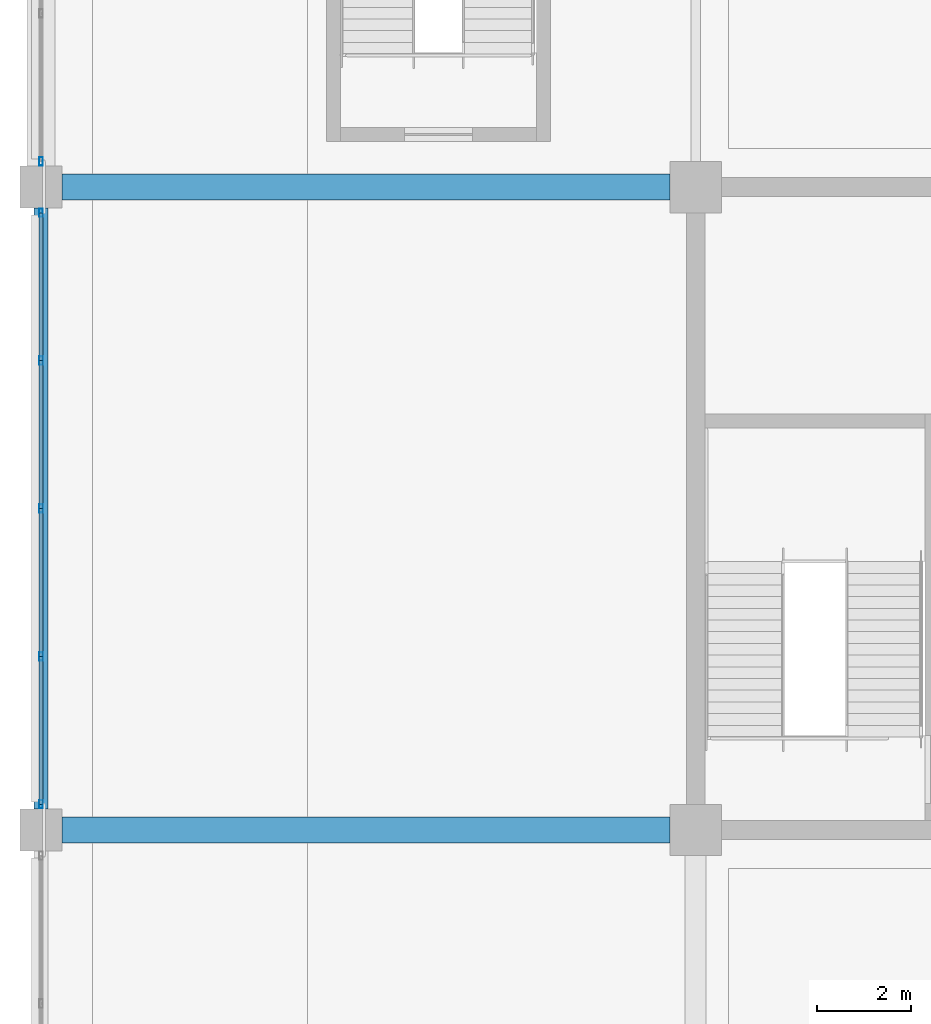
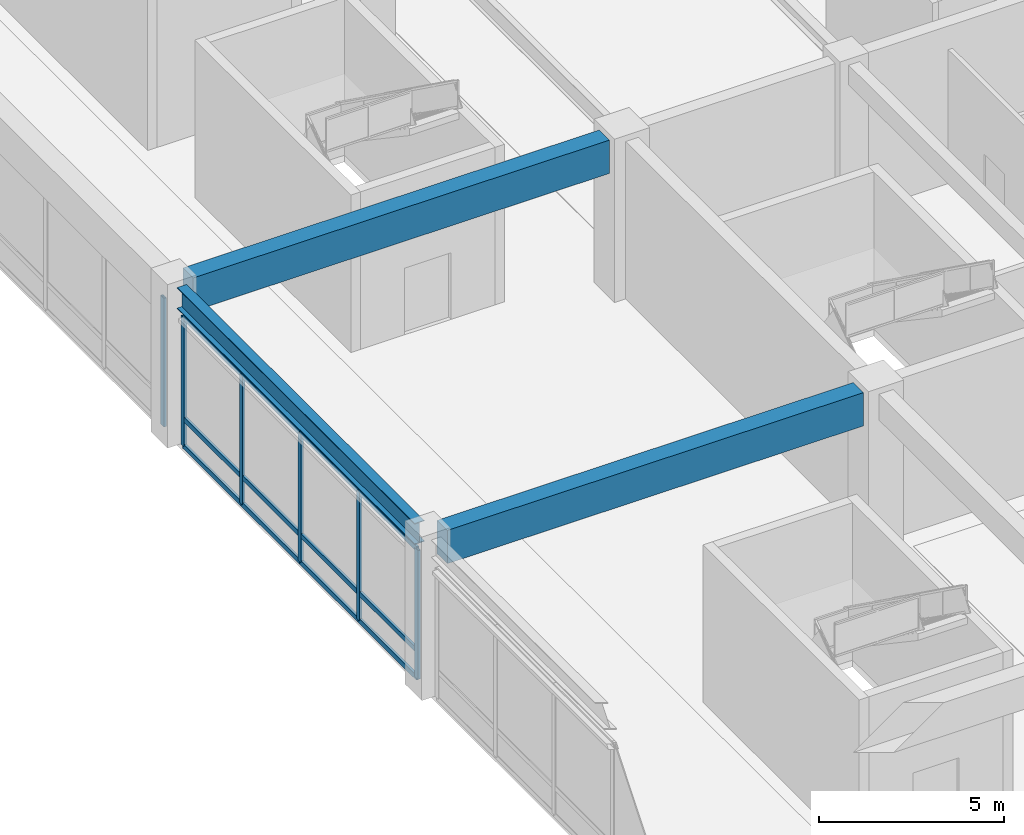
# One storey, part 43 of 117: 18 members, 3 beams, 2 elements without a shape of their own.
"""IFC4 building model written with IfcOpenShell, lengths in metres."""

from ifc_helpers import new_model, si_unit, direction, frame, origin, origin_2d, place, context, subcontext, project, spatial, rectangle, hollow_rectangle, i_section, extrude, material, material_profile, profile_set, type_object, element, aggregate, save


model = new_model("IFC4")

# Units and contexts
model_context = context("Model", 3, precision=1e-05, world=origin(), true_north=direction((0.0, 1.0)))
body_context = subcontext(model_context, "Body", "Model", "MODEL_VIEW")
ifc_project = project(units=[si_unit("LENGTHUNIT", "METRE"), si_unit("AREAUNIT", "SQUARE_METRE"), si_unit("VOLUMEUNIT", "CUBIC_METRE"), si_unit("PLANEANGLEUNIT", "RADIAN"), si_unit("MASSUNIT", "GRAM", prefix="KILO")], contexts=[model_context])

# Site, building, storey
site_placement = place(None, origin())
site = spatial("IfcSite", under=ifc_project, at=site_placement, CompositionType="ELEMENT")
building_placement = place(site_placement, origin())
building = spatial("IfcBuilding", under=site, at=building_placement, Name="Linyun Crest Stadium", CompositionType="ELEMENT")
storey_placement = place(building_placement, frame((0.0, 0.0, 6.0)))
storey = spatial("IfcBuildingStorey", under=building, at=storey_placement, Name="L02", CompositionType="ELEMENT", Elevation=6.0)

# Beam
ifc_material_1 = material(Name="Steel Q355C", Category="steel")
ifc_material_profile_1 = material_profile(ifc_material_1, i_section(OverallWidth=0.300048828125, OverallDepth=0.699951171875, WebThickness=0.012939453125, FlangeThickness=0.02392578125, at=origin_2d()), Name="HN 700x300")
ifc_profile_set_1 = profile_set([ifc_material_profile_1], Name="Steel Q355C")
beam_type_1 = type_object("IfcBeamType", Name="B12", PredefinedType="BEAM", material=ifc_profile_set_1)
beam_placement = place(storey_placement, frame((-98.0, 2.574951171875, 4.85009765625), z_axis=(0.0, 1.0, 0.0), x_axis=(-1.0, 0.0, 0.0)))
element("IfcBeam", 1, at=beam_placement, inside=storey, type_object=beam_type_1, Name="Frame beam B12 L02 202", PredefinedType="BEAM", context=body_context, shape_type="SweptSolid", body=[
    extrude(i_section(OverallWidth=0.300048828125, OverallDepth=0.699951171875, WebThickness=0.012939453125, FlangeThickness=0.02392578125, at=origin_2d()), origin(), (0.0, 0.0, 1.0), 12.85009765625),
])

# Curtain wall, members
ifc_material_2 = material(Name="Verdigris steel and low-E curtain wall assembly", Category="steel")
curtain_wall_type = type_object("IfcCurtainWallType", Name="MCW01", PredefinedType="NOTDEFINED", material=ifc_material_2)
curtain_wall_1_placement = place(storey_placement, origin())
curtain_wall_1 = element("IfcCurtainWall", 2, at=curtain_wall_1_placement, inside=storey, type_object=curtain_wall_type, Name="CWR-100", PredefinedType="NOTDEFINED")
ifc_material_3 = material(Name="Verdigris painted steel Q355B mullion", Category="steel")
ifc_material_profile_2 = material_profile(ifc_material_3, hollow_rectangle(XDim=0.080078125, YDim=0.179931640625, WallThickness=0.006103515625, at=origin_2d()), Name="RHS 180x80x6")
ifc_profile_set_2 = profile_set([ifc_material_profile_2], Name="Verdigris painted steel Q355B mullion")
member_type_1 = type_object("IfcMemberType", Name="ML02", PredefinedType="MULLION", material=ifc_profile_set_2)
member_1_placement = place(storey_placement, frame((-98.0, 2.675048828125, 0.0), z_axis=(0.0, 0.0, 1.0), x_axis=(-1.0, 0.0, 0.0)))
member_1 = element("IfcMember", 3, at=member_1_placement, type_object=member_type_1, Name="CWR-100 mullion 1", PredefinedType="MULLION", context=body_context, shape_type="SweptSolid", body=[
    extrude(hollow_rectangle(XDim=0.080078125, YDim=0.179931640625, WallThickness=0.006103515625, at=origin_2d()), origin(), (0.0, 0.0, 1.0), 4.25),
])
member_2_placement = place(storey_placement, frame((-98.0, 5.8369140625, 0.0), z_axis=(0.0, 0.0, 1.0), x_axis=(-1.0, 0.0, 0.0)))
member_2 = element("IfcMember", 4, at=member_2_placement, type_object=member_type_1, Name="CWR-100 mullion 2", PredefinedType="MULLION", context=body_context, shape_type="SweptSolid", body=[
    extrude(hollow_rectangle(XDim=0.080078125, YDim=0.179931640625, WallThickness=0.006103515625, at=origin_2d()), origin(), (0.0, 0.0, 1.0), 4.25),
])
member_3_placement = place(storey_placement, frame((-98.0, 9.0, 0.0), z_axis=(0.0, 0.0, 1.0), x_axis=(-1.0, 0.0, 0.0)))
member_3 = element("IfcMember", 5, at=member_3_placement, type_object=member_type_1, Name="CWR-100 mullion 3", PredefinedType="MULLION", context=body_context, shape_type="SweptSolid", body=[
    extrude(hollow_rectangle(XDim=0.080078125, YDim=0.179931640625, WallThickness=0.006103515625, at=origin_2d()), origin(), (0.0, 0.0, 1.0), 4.25),
])
member_4_placement = place(storey_placement, frame((-98.0, 12.162109375, 0.0), z_axis=(0.0, 0.0, 1.0), x_axis=(-1.0, 0.0, 0.0)))
member_4 = element("IfcMember", 6, at=member_4_placement, type_object=member_type_1, Name="CWR-100 mullion 4", PredefinedType="MULLION", context=body_context, shape_type="SweptSolid", body=[
    extrude(hollow_rectangle(XDim=0.080078125, YDim=0.179931640625, WallThickness=0.006103515625, at=origin_2d()), origin(), (0.0, 0.0, 1.0), 4.25),
])
member_5_placement = place(storey_placement, frame((-98.0, 15.324951171875, 0.0), z_axis=(0.0, 0.0, 1.0), x_axis=(-1.0, 0.0, 0.0)))
member_5 = element("IfcMember", 7, at=member_5_placement, type_object=member_type_1, Name="CWR-100 mullion 5", PredefinedType="MULLION", context=body_context, shape_type="SweptSolid", body=[
    extrude(hollow_rectangle(XDim=0.080078125, YDim=0.179931640625, WallThickness=0.006103515625, at=origin_2d()), origin(), (0.0, 0.0, 1.0), 4.25),
])

# Curtain wall, member
curtain_wall_2_placement = place(storey_placement, origin())
curtain_wall_2 = element("IfcCurtainWall", 8, at=curtain_wall_2_placement, inside=storey, type_object=curtain_wall_type, Name="CWR-109", PredefinedType="NOTDEFINED")
member_6_placement = place(storey_placement, frame((-98.0, 16.425048828125, 0.0), z_axis=(0.0, 0.0, 1.0), x_axis=(-1.0, 0.0, 0.0)))
member_6 = element("IfcMember", 9, at=member_6_placement, type_object=member_type_1, Name="CWR-109 mullion 1", PredefinedType="MULLION", context=body_context, shape_type="SweptSolid", body=[
    extrude(hollow_rectangle(XDim=0.080078125, YDim=0.179931640625, WallThickness=0.006103515625, at=origin_2d()), origin(), (0.0, 0.0, 1.0), 4.25),
])
aggregate(curtain_wall_2, [member_6])

# Beams
ifc_material_4 = material(Name="Concrete C50", Category="concrete")
ifc_material_profile_3 = material_profile(ifc_material_4, rectangle(XDim=0.550048828125, YDim=1.10009765625, at=origin_2d()), Name="RCB 1100x550")
ifc_profile_set_3 = profile_set([ifc_material_profile_3], Name="Concrete C50")
beam_type_2 = type_object("IfcBeamType", Name="TB01", PredefinedType="USERDEFINED", material=ifc_profile_set_3)
for number, where, z_axis, x_axis, name in (
    (10, (-97.550048828125, 2.125, 4.64990234375), (1.0, 0.0, 0.0), (0.0, 1.0, 0.0), "Frame beam TB01 L02 184"),
    (11, (-97.550048828125, 15.875, 4.64990234375), (1.0, 0.0, 0.0), (0.0, 1.0, 0.0), "Frame beam TB01 L02 187"),
):
    element("IfcBeam", number, at=place(storey_placement, frame(where, z_axis=z_axis, x_axis=x_axis)), inside=storey, type_object=beam_type_2, Name=name, ObjectType="GIRDER", PredefinedType="USERDEFINED", context=body_context, shape_type="SweptSolid", body=[
        extrude(rectangle(XDim=0.550048828125, YDim=1.10009765625, at=origin_2d()), origin(), (0.0, 0.0, 1.0), 13.0),
    ])

# Member
ifc_material_5 = material(Name="Aluminium thermally broken transom", Category="aluminium")
ifc_material_profile_4 = material_profile(ifc_material_5, hollow_rectangle(XDim=0.080078125, YDim=0.159912109375, WallThickness=0.006103515625, at=origin_2d()), Name="RHS 160x80x6")
ifc_profile_set_4 = profile_set([ifc_material_profile_4], Name="Aluminium thermally broken transom")
member_type_2 = type_object("IfcMemberType", Name="TR01", PredefinedType="USERDEFINED", material=ifc_profile_set_4)
member_7_placement = place(storey_placement, frame((-98.0, 2.675048828125, 0.0), z_axis=(0.0, 1.0, 0.0), x_axis=(-1.0, 0.0, 0.0)))
member_7 = element("IfcMember", 12, at=member_7_placement, type_object=member_type_2, Name="CWR-100 transom 1.1", ObjectType="TRANSOM", PredefinedType="USERDEFINED", context=body_context, shape_type="SweptSolid", body=[
    extrude(hollow_rectangle(XDim=0.080078125, YDim=0.159912109375, WallThickness=0.006103515625, at=origin_2d()), origin(), (0.0, 0.0, 1.0), 3.161865234375),
])

member_8_placement = place(storey_placement, frame((-98.0, 2.675048828125, 0.89990234375), z_axis=(0.0, 1.0, 0.0), x_axis=(-1.0, 0.0, 0.0)))
member_8 = element("IfcMember", 13, at=member_8_placement, type_object=member_type_2, Name="CWR-100 transom 1.2", ObjectType="TRANSOM", PredefinedType="USERDEFINED", context=body_context, shape_type="SweptSolid", body=[
    extrude(hollow_rectangle(XDim=0.080078125, YDim=0.159912109375, WallThickness=0.006103515625, at=origin_2d()), origin(), (0.0, 0.0, 1.0), 3.161865234375),
])

member_9_placement = place(storey_placement, frame((-98.0, 2.675048828125, 4.25), z_axis=(0.0, 1.0, 0.0), x_axis=(-1.0, 0.0, 0.0)))
member_9 = element("IfcMember", 14, at=member_9_placement, type_object=member_type_2, Name="CWR-100 transom 1.3", ObjectType="TRANSOM", PredefinedType="USERDEFINED", context=body_context, shape_type="SweptSolid", body=[
    extrude(hollow_rectangle(XDim=0.080078125, YDim=0.159912109375, WallThickness=0.006103515625, at=origin_2d()), origin(), (0.0, 0.0, 1.0), 3.161865234375),
])

member_10_placement = place(storey_placement, frame((-98.0, 5.8369140625, 0.0), z_axis=(0.0, 1.0, 0.0), x_axis=(-1.0, 0.0, 0.0)))
member_10 = element("IfcMember", 15, at=member_10_placement, type_object=member_type_2, Name="CWR-100 transom 2.1", ObjectType="TRANSOM", PredefinedType="USERDEFINED", context=body_context, shape_type="SweptSolid", body=[
    extrude(hollow_rectangle(XDim=0.080078125, YDim=0.159912109375, WallThickness=0.006103515625, at=origin_2d()), origin(), (0.0, 0.0, 1.0), 3.1630859375),
])

member_11_placement = place(storey_placement, frame((-98.0, 5.8369140625, 0.89990234375), z_axis=(0.0, 1.0, 0.0), x_axis=(-1.0, 0.0, 0.0)))
member_11 = element("IfcMember", 16, at=member_11_placement, type_object=member_type_2, Name="CWR-100 transom 2.2", ObjectType="TRANSOM", PredefinedType="USERDEFINED", context=body_context, shape_type="SweptSolid", body=[
    extrude(hollow_rectangle(XDim=0.080078125, YDim=0.159912109375, WallThickness=0.006103515625, at=origin_2d()), origin(), (0.0, 0.0, 1.0), 3.1630859375),
])

member_12_placement = place(storey_placement, frame((-98.0, 5.8369140625, 4.25), z_axis=(0.0, 1.0, 0.0), x_axis=(-1.0, 0.0, 0.0)))
member_12 = element("IfcMember", 17, at=member_12_placement, type_object=member_type_2, Name="CWR-100 transom 2.3", ObjectType="TRANSOM", PredefinedType="USERDEFINED", context=body_context, shape_type="SweptSolid", body=[
    extrude(hollow_rectangle(XDim=0.080078125, YDim=0.159912109375, WallThickness=0.006103515625, at=origin_2d()), origin(), (0.0, 0.0, 1.0), 3.1630859375),
])

member_13_placement = place(storey_placement, frame((-98.0, 9.0, 0.0), z_axis=(0.0, 1.0, 0.0), x_axis=(-1.0, 0.0, 0.0)))
member_13 = element("IfcMember", 18, at=member_13_placement, type_object=member_type_2, Name="CWR-100 transom 3.1", ObjectType="TRANSOM", PredefinedType="USERDEFINED", context=body_context, shape_type="SweptSolid", body=[
    extrude(hollow_rectangle(XDim=0.080078125, YDim=0.159912109375, WallThickness=0.006103515625, at=origin_2d()), origin(), (0.0, 0.0, 1.0), 3.162109375),
])

member_14_placement = place(storey_placement, frame((-98.0, 9.0, 0.89990234375), z_axis=(0.0, 1.0, 0.0), x_axis=(-1.0, 0.0, 0.0)))
member_14 = element("IfcMember", 19, at=member_14_placement, type_object=member_type_2, Name="CWR-100 transom 3.2", ObjectType="TRANSOM", PredefinedType="USERDEFINED", context=body_context, shape_type="SweptSolid", body=[
    extrude(hollow_rectangle(XDim=0.080078125, YDim=0.159912109375, WallThickness=0.006103515625, at=origin_2d()), origin(), (0.0, 0.0, 1.0), 3.162109375),
])

member_15_placement = place(storey_placement, frame((-98.0, 9.0, 4.25), z_axis=(0.0, 1.0, 0.0), x_axis=(-1.0, 0.0, 0.0)))
member_15 = element("IfcMember", 20, at=member_15_placement, type_object=member_type_2, Name="CWR-100 transom 3.3", ObjectType="TRANSOM", PredefinedType="USERDEFINED", context=body_context, shape_type="SweptSolid", body=[
    extrude(hollow_rectangle(XDim=0.080078125, YDim=0.159912109375, WallThickness=0.006103515625, at=origin_2d()), origin(), (0.0, 0.0, 1.0), 3.162109375),
])

member_16_placement = place(storey_placement, frame((-98.0, 12.162109375, 0.0), z_axis=(0.0, 1.0, 0.0), x_axis=(-1.0, 0.0, 0.0)))
member_16 = element("IfcMember", 21, at=member_16_placement, type_object=member_type_2, Name="CWR-100 transom 4.1", ObjectType="TRANSOM", PredefinedType="USERDEFINED", context=body_context, shape_type="SweptSolid", body=[
    extrude(hollow_rectangle(XDim=0.080078125, YDim=0.159912109375, WallThickness=0.006103515625, at=origin_2d()), origin(), (0.0, 0.0, 1.0), 3.162841796875),
])

member_17_placement = place(storey_placement, frame((-98.0, 12.162109375, 0.89990234375), z_axis=(0.0, 1.0, 0.0), x_axis=(-1.0, 0.0, 0.0)))
member_17 = element("IfcMember", 22, at=member_17_placement, type_object=member_type_2, Name="CWR-100 transom 4.2", ObjectType="TRANSOM", PredefinedType="USERDEFINED", context=body_context, shape_type="SweptSolid", body=[
    extrude(hollow_rectangle(XDim=0.080078125, YDim=0.159912109375, WallThickness=0.006103515625, at=origin_2d()), origin(), (0.0, 0.0, 1.0), 3.162841796875),
])

member_18_placement = place(storey_placement, frame((-98.0, 12.162109375, 4.25), z_axis=(0.0, 1.0, 0.0), x_axis=(-1.0, 0.0, 0.0)))
member_18 = element("IfcMember", 23, at=member_18_placement, type_object=member_type_2, Name="CWR-100 transom 4.3", ObjectType="TRANSOM", PredefinedType="USERDEFINED", context=body_context, shape_type="SweptSolid", body=[
    extrude(hollow_rectangle(XDim=0.080078125, YDim=0.159912109375, WallThickness=0.006103515625, at=origin_2d()), origin(), (0.0, 0.0, 1.0), 3.162841796875),
])

aggregate(curtain_wall_1, [member_1, member_2, member_3, member_4, member_5, member_7, member_8, member_9, member_10, member_11, member_12, member_13, member_14, member_15, member_16, member_17, member_18])

save(model, "model.ifc")
